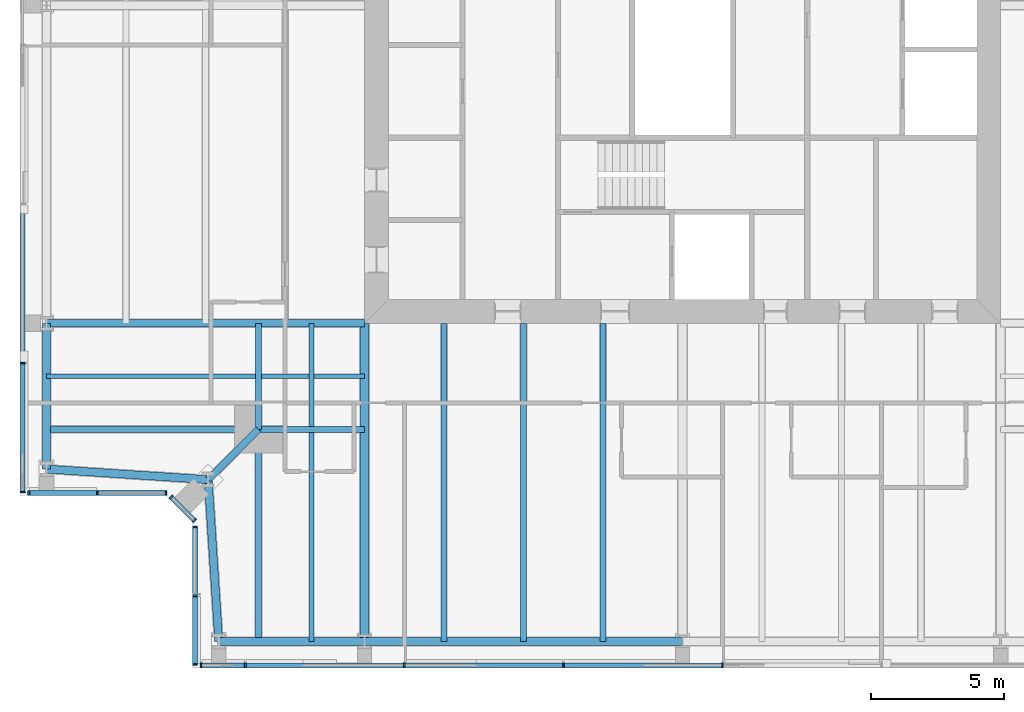
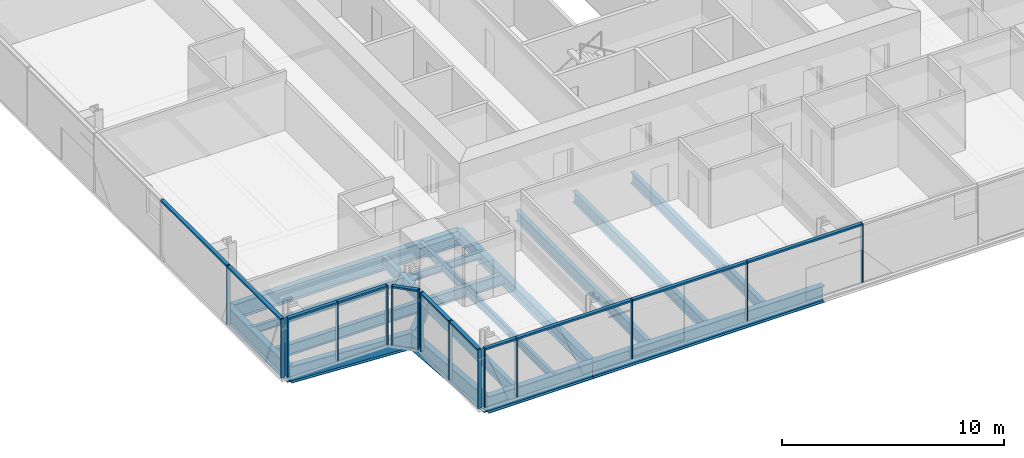
# One storey, part 2 of 20: 26 members, 20 beams, 5 elements without a shape of their own.
"""IFC4 building model written with IfcOpenShell, lengths in metres."""

from ifc_helpers import new_model, si_unit, direction, frame, origin, origin_2d, place, context, subcontext, project, spatial, rectangle, i_section, extrude, material, material_profile, profile_set, type_object, element, aggregate, save


model = new_model("IFC4")

# Units and contexts
model_context = context("Model", 3, precision=1e-05, world=origin(), true_north=direction((0.0, 1.0)))
body_context = subcontext(model_context, "Body", "Model", "MODEL_VIEW")
ifc_project = project(units=[si_unit("LENGTHUNIT", "METRE"), si_unit("AREAUNIT", "SQUARE_METRE"), si_unit("VOLUMEUNIT", "CUBIC_METRE"), si_unit("PLANEANGLEUNIT", "RADIAN"), si_unit("MASSUNIT", "GRAM", prefix="KILO")], contexts=[model_context])

# Site, building, storey
site_placement = place(None, origin())
site = spatial("IfcSite", under=ifc_project, at=site_placement, CompositionType="ELEMENT")
building_placement = place(site_placement, origin())
building = spatial("IfcBuilding", under=site, at=building_placement, Name="Fenwick Lantern Interchange", CompositionType="ELEMENT")
storey_placement = place(building_placement, frame((0.0, 0.0, 276.39990234375)))
storey = spatial("IfcBuildingStorey", under=building, at=storey_placement, Name="L66", CompositionType="ELEMENT", Elevation=276.39990234375)

# Beams
ifc_material_1 = material(Name="Steel ASTM A992 Grade 50", Category="steel")
ifc_material_profile_1 = material_profile(ifc_material_1, i_section(OverallWidth=0.3046875, OverallDepth=0.911865234375, WebThickness=0.015869140625, FlangeThickness=0.02392578125, at=origin_2d()), Name="W36X150")
ifc_profile_set_1 = profile_set([ifc_material_profile_1], Name="Steel ASTM A992 Grade 50")
beam_type_1 = type_object("IfcBeamType", Name="EDGE BEAM W36X150", PredefinedType="SPANDREL", material=ifc_profile_set_1)
beam_1_placement = place(storey_placement, frame((7.5, 1.0, -0.605712890625), z_axis=(1.0, 0.0, 0.0), x_axis=(0.0, 1.0, 0.0)))
element("IfcBeam", 1, at=beam_1_placement, inside=storey, type_object=beam_type_1, Name="L66/FR/S/EB1", PredefinedType="SPANDREL", context=body_context, shape_type="SweptSolid", body=[
    extrude(i_section(OverallWidth=0.3046875, OverallDepth=0.911865234375, WebThickness=0.015869140625, FlangeThickness=0.02392578125, at=origin_2d()), origin(), (0.0, 0.0, 1.0), 5.5),
])
beam_2_placement = place(storey_placement, frame((13.0, 1.0, -0.605712890625), z_axis=(1.0, 0.0, 0.0), x_axis=(0.0, 1.0, 0.0)))
element("IfcBeam", 2, at=beam_2_placement, inside=storey, type_object=beam_type_1, Name="L66/FR/S/EB2", PredefinedType="SPANDREL", context=body_context, shape_type="SweptSolid", body=[
    extrude(i_section(OverallWidth=0.3046875, OverallDepth=0.911865234375, WebThickness=0.015869140625, FlangeThickness=0.02392578125, at=origin_2d()), origin(), (0.0, 0.0, 1.0), 12.0),
])
beam_3_placement = place(storey_placement, frame((1.0, 13.0, -0.605712890625), z_axis=(0.0, -1.0, 0.0), x_axis=(1.0, 0.0, 0.0)))
element("IfcBeam", 3, at=beam_3_placement, inside=storey, type_object=beam_type_1, Name="L66/FR/W/EB4", PredefinedType="SPANDREL", context=body_context, shape_type="SweptSolid", body=[
    extrude(i_section(OverallWidth=0.3046875, OverallDepth=0.911865234375, WebThickness=0.015869140625, FlangeThickness=0.02392578125, at=origin_2d()), origin(), (0.0, 0.0, 1.0), 5.5),
])
for number, where, z_axis, x_axis, name in (
    (4, (1.0, 7.5, -0.605712890625), (0.997858060337, -0.065416293237, 0.0), (0.065416293237, 0.997858060337, 0.0), "L66/FR/W/EBR1"),
    (5, (7.10009765625, 7.10009765625, -0.605712890625), (0.065416293237, -0.997858060337, 0.0), (0.997858060337, 0.065416293237, 0.0), "L66/FR/W/EBR2"),
):
    element("IfcBeam", number, at=place(storey_placement, frame(where, z_axis=z_axis, x_axis=x_axis)), inside=storey, type_object=beam_type_1, Name=name, PredefinedType="SPANDREL", context=body_context, shape_type="SweptSolid", body=[
        extrude(i_section(OverallWidth=0.3046875, OverallDepth=0.911865234375, WebThickness=0.015869140625, FlangeThickness=0.02392578125, at=origin_2d()), origin(), (0.0, 0.0, 1.0), 6.11328125),
    ])
ifc_material_profile_2 = material_profile(ifc_material_1, i_section(OverallWidth=0.22900390625, OverallDepth=0.612060546875, WebThickness=0.011962890625, FlangeThickness=0.01953125, at=origin_2d()), Name="W24X84")
ifc_profile_set_2 = profile_set([ifc_material_profile_2], Name="Steel ASTM A992 Grade 50")
beam_type_2 = type_object("IfcBeamType", Name="FLOOR BEAM W24X84", PredefinedType="BEAM", material=ifc_profile_set_2)
for number, where, z_axis, x_axis, name in (
    (6, (16.0, 1.0, -0.4560546875), (0.0, 1.0, 0.0), (-1.0, 0.0, 0.0), "L66/FR/S/R02"),
    (7, (19.0, 1.0, -0.4560546875), (0.0, 1.0, 0.0), (-1.0, 0.0, 0.0), "L66/FR/S/R03"),
    (8, (22.0, 1.0, -0.4560546875), (0.0, 1.0, 0.0), (-1.0, 0.0, 0.0), "L66/FR/S/R04"),
):
    element("IfcBeam", number, at=place(storey_placement, frame(where, z_axis=z_axis, x_axis=x_axis)), inside=storey, type_object=beam_type_2, Name=name, PredefinedType="BEAM", context=body_context, shape_type="SweptSolid", body=[
        extrude(i_section(OverallWidth=0.22900390625, OverallDepth=0.612060546875, WebThickness=0.011962890625, FlangeThickness=0.01953125, at=origin_2d()), origin(), (0.0, 0.0, 1.0), 12.0),
    ])

# Curtain wall, members
ifc_material_2 = material(Name="Aluminium curtain wall frame", Category="aluminium")
curtain_wall_type = type_object("IfcCurtainWallType", Name="HOTEL CURTAIN WALL", PredefinedType="USERDEFINED", material=ifc_material_2)
curtain_wall_1_placement = place(storey_placement, origin())
curtain_wall_1 = element("IfcCurtainWall", 9, at=curtain_wall_1_placement, inside=storey, type_object=curtain_wall_type, Name="Hotel curtain wall 01", ObjectType="HOTEL CURTAIN WALL", PredefinedType="USERDEFINED")
ifc_material_3 = material(Name="Aluminium extrusion", Category="aluminium")
ifc_material_profile_3 = material_profile(ifc_material_3, rectangle(XDim=0.179931640625, YDim=0.06005859375, at=origin_2d()), Name="HOTEL CURTAIN WALL MULLION 60 X 180")
ifc_profile_set_3 = profile_set([ifc_material_profile_3], Name="Aluminium extrusion")
member_type_1 = type_object("IfcMemberType", Name="HOTEL CURTAIN WALL MULLION 60 X 180", PredefinedType="MULLION", material=ifc_profile_set_3)
member_1_placement = place(storey_placement, frame((6.830078125, 0.10009765625, 0.0), z_axis=(0.0, 0.0, 1.0), x_axis=(0.0, 1.0, 0.0)))
member_1 = element("IfcMember", 10, at=member_1_placement, type_object=member_type_1, Name="L66/CW/01/M00", PredefinedType="MULLION", context=body_context, shape_type="SweptSolid", body=[
    extrude(rectangle(XDim=0.179931640625, YDim=0.06005859375, at=origin_2d()), origin(), (0.0, 0.0, 1.0), 3.25),
])
member_2_placement = place(storey_placement, frame((8.5, 0.10009765625, 0.0), z_axis=(0.0, 0.0, 1.0), x_axis=(0.0, 1.0, 0.0)))
member_2 = element("IfcMember", 11, at=member_2_placement, type_object=member_type_1, Name="L66/CW/01/M01", PredefinedType="MULLION", context=body_context, shape_type="SweptSolid", body=[
    extrude(rectangle(XDim=0.179931640625, YDim=0.06005859375, at=origin_2d()), origin(), (0.0, 0.0, 1.0), 3.25),
])
member_3_placement = place(storey_placement, frame((14.5, 0.10009765625, 0.0), z_axis=(0.0, 0.0, 1.0), x_axis=(0.0, 1.0, 0.0)))
member_3 = element("IfcMember", 12, at=member_3_placement, type_object=member_type_1, Name="L66/CW/01/M02", PredefinedType="MULLION", context=body_context, shape_type="SweptSolid", body=[
    extrude(rectangle(XDim=0.179931640625, YDim=0.06005859375, at=origin_2d()), origin(), (0.0, 0.0, 1.0), 3.25),
])
member_4_placement = place(storey_placement, frame((20.5, 0.10009765625, 0.0), z_axis=(0.0, 0.0, 1.0), x_axis=(0.0, 1.0, 0.0)))
member_4 = element("IfcMember", 13, at=member_4_placement, type_object=member_type_1, Name="L66/CW/01/M03", PredefinedType="MULLION", context=body_context, shape_type="SweptSolid", body=[
    extrude(rectangle(XDim=0.179931640625, YDim=0.06005859375, at=origin_2d()), origin(), (0.0, 0.0, 1.0), 3.25),
])
member_5_placement = place(storey_placement, frame((26.5, 0.10009765625, 0.0), z_axis=(0.0, 0.0, 1.0), x_axis=(0.0, 1.0, 0.0)))
member_5 = element("IfcMember", 14, at=member_5_placement, type_object=member_type_1, Name="L66/CW/01/M04", PredefinedType="MULLION", context=body_context, shape_type="SweptSolid", body=[
    extrude(rectangle(XDim=0.179931640625, YDim=0.06005859375, at=origin_2d()), origin(), (0.0, 0.0, 1.0), 3.25),
])

curtain_wall_2_placement = place(storey_placement, origin())
curtain_wall_2 = element("IfcCurtainWall", 15, at=curtain_wall_2_placement, inside=storey, type_object=curtain_wall_type, Name="Hotel curtain wall 13", ObjectType="HOTEL CURTAIN WALL", PredefinedType="USERDEFINED")
member_6_placement = place(storey_placement, frame((0.10009765625, 11.5, 0.0), z_axis=(0.0, 0.0, 1.0), x_axis=(1.0, 0.0, 0.0)))
member_6 = element("IfcMember", 16, at=member_6_placement, type_object=member_type_1, Name="L66/CW/13/M06", PredefinedType="MULLION", context=body_context, shape_type="SweptSolid", body=[
    extrude(rectangle(XDim=0.179931640625, YDim=0.06005859375, at=origin_2d()), origin(), (0.0, 0.0, 1.0), 3.25),
])
member_7_placement = place(storey_placement, frame((0.10009765625, 6.6298828125, 0.0), z_axis=(0.0, 0.0, 1.0), x_axis=(1.0, 0.0, 0.0)))
member_7 = element("IfcMember", 17, at=member_7_placement, type_object=member_type_1, Name="L66/CW/13/M07", PredefinedType="MULLION", context=body_context, shape_type="SweptSolid", body=[
    extrude(rectangle(XDim=0.179931640625, YDim=0.06005859375, at=origin_2d()), origin(), (0.0, 0.0, 1.0), 3.25),
])

curtain_wall_3_placement = place(storey_placement, origin())
curtain_wall_3 = element("IfcCurtainWall", 18, at=curtain_wall_3_placement, inside=storey, type_object=curtain_wall_type, Name="Hotel curtain wall 14", ObjectType="HOTEL CURTAIN WALL", PredefinedType="USERDEFINED")
member_8_placement = place(storey_placement, frame((0.330078125, 6.60009765625, 0.0), z_axis=(0.0, 0.0, 1.0), x_axis=(0.0, 1.0, 0.0)))
member_8 = element("IfcMember", 19, at=member_8_placement, type_object=member_type_1, Name="L66/CW/14/M00", PredefinedType="MULLION", context=body_context, shape_type="SweptSolid", body=[
    extrude(rectangle(XDim=0.179931640625, YDim=0.06005859375, at=origin_2d()), origin(), (0.0, 0.0, 1.0), 3.25),
])
member_9_placement = place(storey_placement, frame((2.920654296875, 6.60009765625, 0.0), z_axis=(0.0, 0.0, 1.0), x_axis=(0.0, 1.0, 0.0)))
member_9 = element("IfcMember", 20, at=member_9_placement, type_object=member_type_1, Name="L66/CW/14/M01", PredefinedType="MULLION", context=body_context, shape_type="SweptSolid", body=[
    extrude(rectangle(XDim=0.179931640625, YDim=0.06005859375, at=origin_2d()), origin(), (0.0, 0.0, 1.0), 3.25),
])
member_10_placement = place(storey_placement, frame((5.511474609375, 6.60009765625, 0.0), z_axis=(0.0, 0.0, 1.0), x_axis=(0.0, 1.0, 0.0)))
member_10 = element("IfcMember", 21, at=member_10_placement, type_object=member_type_1, Name="L66/CW/14/M02", PredefinedType="MULLION", context=body_context, shape_type="SweptSolid", body=[
    extrude(rectangle(XDim=0.179931640625, YDim=0.06005859375, at=origin_2d()), origin(), (0.0, 0.0, 1.0), 3.25),
])

curtain_wall_4_placement = place(storey_placement, origin())
curtain_wall_4 = element("IfcCurtainWall", 22, at=curtain_wall_4_placement, inside=storey, type_object=curtain_wall_type, Name="Hotel curtain wall 15", ObjectType="HOTEL CURTAIN WALL", PredefinedType="USERDEFINED")
member_11_placement = place(storey_placement, frame((5.7041015625, 6.437255859375, 0.0), z_axis=(0.0, 0.0, 1.0), x_axis=(0.707106781187, 0.707106781187, 0.0)))
member_11 = element("IfcMember", 23, at=member_11_placement, type_object=member_type_1, Name="L66/CW/15/M00", PredefinedType="MULLION", context=body_context, shape_type="SweptSolid", body=[
    extrude(rectangle(XDim=0.179931640625, YDim=0.06005859375, at=origin_2d()), origin(), (0.0, 0.0, 1.0), 3.25),
])
member_12_placement = place(storey_placement, frame((6.578857421875, 5.562744140625, 0.0), z_axis=(0.0, 0.0, 1.0), x_axis=(0.707106781187, 0.707106781187, 0.0)))
member_12 = element("IfcMember", 24, at=member_12_placement, type_object=member_type_1, Name="L66/CW/15/M01", PredefinedType="MULLION", context=body_context, shape_type="SweptSolid", body=[
    extrude(rectangle(XDim=0.179931640625, YDim=0.06005859375, at=origin_2d()), origin(), (0.0, 0.0, 1.0), 3.25),
])

curtain_wall_5_placement = place(storey_placement, origin())
curtain_wall_5 = element("IfcCurtainWall", 25, at=curtain_wall_5_placement, inside=storey, type_object=curtain_wall_type, Name="Hotel curtain wall 16", ObjectType="HOTEL CURTAIN WALL", PredefinedType="USERDEFINED")
member_13_placement = place(storey_placement, frame((6.60009765625, 5.3115234375, 0.0), z_axis=(0.0, 0.0, 1.0), x_axis=(1.0, 0.0, 0.0)))
member_13 = element("IfcMember", 26, at=member_13_placement, type_object=member_type_1, Name="L66/CW/16/M00", PredefinedType="MULLION", context=body_context, shape_type="SweptSolid", body=[
    extrude(rectangle(XDim=0.179931640625, YDim=0.06005859375, at=origin_2d()), origin(), (0.0, 0.0, 1.0), 3.25),
])
member_14_placement = place(storey_placement, frame((6.60009765625, 2.720703125, 0.0), z_axis=(0.0, 0.0, 1.0), x_axis=(1.0, 0.0, 0.0)))
member_14 = element("IfcMember", 27, at=member_14_placement, type_object=member_type_1, Name="L66/CW/16/M01", PredefinedType="MULLION", context=body_context, shape_type="SweptSolid", body=[
    extrude(rectangle(XDim=0.179931640625, YDim=0.06005859375, at=origin_2d()), origin(), (0.0, 0.0, 1.0), 3.25),
])
member_15_placement = place(storey_placement, frame((6.60009765625, 0.1298828125, 0.0), z_axis=(0.0, 0.0, 1.0), x_axis=(1.0, 0.0, 0.0)))
member_15 = element("IfcMember", 28, at=member_15_placement, type_object=member_type_1, Name="L66/CW/16/M02", PredefinedType="MULLION", context=body_context, shape_type="SweptSolid", body=[
    extrude(rectangle(XDim=0.179931640625, YDim=0.06005859375, at=origin_2d()), origin(), (0.0, 0.0, 1.0), 3.25),
])

# Member
ifc_material_profile_4 = material_profile(ifc_material_3, rectangle(XDim=0.179931640625, YDim=0.10009765625, at=origin_2d()), Name="HOTEL CURTAIN WALL TRANSOM 100 X 180")
ifc_profile_set_4 = profile_set([ifc_material_profile_4], Name="Aluminium extrusion")
member_type_2 = type_object("IfcMemberType", Name="HOTEL CURTAIN WALL TRANSOM 100 X 180", PredefinedType="MULLION", material=ifc_profile_set_4)
member_16_placement = place(storey_placement, frame((6.860107421875, 0.10009765625, 3.2001953125), z_axis=(1.0, 0.0, 0.0), x_axis=(0.0, 1.0, 0.0)))
member_16 = element("IfcMember", 29, at=member_16_placement, type_object=member_type_2, Name="L66/CW/01/T00", PredefinedType="MULLION", context=body_context, shape_type="SweptSolid", body=[
    extrude(rectangle(XDim=0.179931640625, YDim=0.10009765625, at=origin_2d()), origin(), (0.0, 0.0, 1.0), 1.60986328125),
])

member_17_placement = place(storey_placement, frame((8.530029296875, 0.10009765625, 3.2001953125), z_axis=(1.0, 0.0, 0.0), x_axis=(0.0, 1.0, 0.0)))
member_17 = element("IfcMember", 30, at=member_17_placement, type_object=member_type_2, Name="L66/CW/01/T01", PredefinedType="MULLION", context=body_context, shape_type="SweptSolid", body=[
    extrude(rectangle(XDim=0.179931640625, YDim=0.10009765625, at=origin_2d()), origin(), (0.0, 0.0, 1.0), 5.93994140625),
])

member_18_placement = place(storey_placement, frame((14.530029296875, 0.10009765625, 3.2001953125), z_axis=(1.0, 0.0, 0.0), x_axis=(0.0, 1.0, 0.0)))
member_18 = element("IfcMember", 31, at=member_18_placement, type_object=member_type_2, Name="L66/CW/01/T02", PredefinedType="MULLION", context=body_context, shape_type="SweptSolid", body=[
    extrude(rectangle(XDim=0.179931640625, YDim=0.10009765625, at=origin_2d()), origin(), (0.0, 0.0, 1.0), 5.93994140625),
])

member_19_placement = place(storey_placement, frame((20.530029296875, 0.10009765625, 3.2001953125), z_axis=(1.0, 0.0, 0.0), x_axis=(0.0, 1.0, 0.0)))
member_19 = element("IfcMember", 32, at=member_19_placement, type_object=member_type_2, Name="L66/CW/01/T03", PredefinedType="MULLION", context=body_context, shape_type="SweptSolid", body=[
    extrude(rectangle(XDim=0.179931640625, YDim=0.10009765625, at=origin_2d()), origin(), (0.0, 0.0, 1.0), 5.93994140625),
])

aggregate(curtain_wall_1, [member_1, member_2, member_3, member_4, member_5, member_16, member_17, member_18, member_19])

member_20_placement = place(storey_placement, frame((0.10009765625, 17.469970703125, 3.2001953125), z_axis=(0.0, -1.0, 0.0), x_axis=(1.0, 0.0, 0.0)))
member_20 = element("IfcMember", 33, at=member_20_placement, type_object=member_type_2, Name="L66/CW/13/T05", PredefinedType="MULLION", context=body_context, shape_type="SweptSolid", body=[
    extrude(rectangle(XDim=0.179931640625, YDim=0.10009765625, at=origin_2d()), origin(), (0.0, 0.0, 1.0), 5.93994140625),
])

member_21_placement = place(storey_placement, frame((0.10009765625, 11.469970703125, 3.2001953125), z_axis=(0.0, -1.0, 0.0), x_axis=(1.0, 0.0, 0.0)))
member_21 = element("IfcMember", 34, at=member_21_placement, type_object=member_type_2, Name="L66/CW/13/T06", PredefinedType="MULLION", context=body_context, shape_type="SweptSolid", body=[
    extrude(rectangle(XDim=0.179931640625, YDim=0.10009765625, at=origin_2d()), origin(), (0.0, 0.0, 1.0), 4.81005859375),
])

aggregate(curtain_wall_2, [member_6, member_7, member_20, member_21])

member_22_placement = place(storey_placement, frame((0.360107421875, 6.60009765625, 3.2001953125), z_axis=(1.0, 0.0, 0.0), x_axis=(0.0, 1.0, 0.0)))
member_22 = element("IfcMember", 35, at=member_22_placement, type_object=member_type_2, Name="L66/CW/14/T00", PredefinedType="MULLION", context=body_context, shape_type="SweptSolid", body=[
    extrude(rectangle(XDim=0.179931640625, YDim=0.10009765625, at=origin_2d()), origin(), (0.0, 0.0, 1.0), 2.530517578125),
])

member_23_placement = place(storey_placement, frame((2.95068359375, 6.60009765625, 3.2001953125), z_axis=(1.0, 0.0, 0.0), x_axis=(0.0, 1.0, 0.0)))
member_23 = element("IfcMember", 36, at=member_23_placement, type_object=member_type_2, Name="L66/CW/14/T01", PredefinedType="MULLION", context=body_context, shape_type="SweptSolid", body=[
    extrude(rectangle(XDim=0.179931640625, YDim=0.10009765625, at=origin_2d()), origin(), (0.0, 0.0, 1.0), 2.53076171875),
])

aggregate(curtain_wall_3, [member_8, member_9, member_10, member_22, member_23])

member_24_placement = place(storey_placement, frame((5.725341796875, 6.416259765625, 3.2001953125), z_axis=(0.707003077033, -0.707210470133, 0.0), x_axis=(0.707210470133, 0.707003077033, 0.0)))
member_24 = element("IfcMember", 37, at=member_24_placement, type_object=member_type_2, Name="L66/CW/15/T00", PredefinedType="MULLION", context=body_context, shape_type="SweptSolid", body=[
    extrude(rectangle(XDim=0.179931640625, YDim=0.10009765625, at=origin_2d()), origin(), (0.0, 0.0, 1.0), 1.17724609375),
])

aggregate(curtain_wall_4, [member_11, member_12, member_24])

member_25_placement = place(storey_placement, frame((6.60009765625, 5.281494140625, 3.2001953125), z_axis=(0.0, -1.0, 0.0), x_axis=(1.0, 0.0, 0.0)))
member_25 = element("IfcMember", 38, at=member_25_placement, type_object=member_type_2, Name="L66/CW/16/T00", PredefinedType="MULLION", context=body_context, shape_type="SweptSolid", body=[
    extrude(rectangle(XDim=0.179931640625, YDim=0.10009765625, at=origin_2d()), origin(), (0.0, 0.0, 1.0), 2.53076171875),
])

member_26_placement = place(storey_placement, frame((6.60009765625, 2.690673828125, 3.2001953125), z_axis=(0.0, -1.0, 0.0), x_axis=(1.0, 0.0, 0.0)))
member_26 = element("IfcMember", 39, at=member_26_placement, type_object=member_type_2, Name="L66/CW/16/T01", PredefinedType="MULLION", context=body_context, shape_type="SweptSolid", body=[
    extrude(rectangle(XDim=0.179931640625, YDim=0.10009765625, at=origin_2d()), origin(), (0.0, 0.0, 1.0), 2.53076171875),
])

aggregate(curtain_wall_5, [member_13, member_14, member_15, member_25, member_26])

# Beams
ifc_material_profile_5 = material_profile(ifc_material_1, i_section(OverallWidth=0.177734375, OverallDepth=0.406494140625, WebThickness=0.0078125, FlangeThickness=0.012939453125, at=origin_2d()), Name="W16X40")
ifc_profile_set_5 = profile_set([ifc_material_profile_5], Name="Steel ASTM A992 Grade 50")
beam_type_3 = type_object("IfcBeamType", Name="INFILL BEAM W16X40", PredefinedType="JOIST", material=ifc_profile_set_5)
beam_4_placement = place(storey_placement, frame((11.0, 1.0, -0.35302734375), z_axis=(0.0, 1.0, 0.0), x_axis=(-1.0, 0.0, 0.0)))
element("IfcBeam", 40, at=beam_4_placement, inside=storey, type_object=beam_type_3, Name="L66/FR/S/J1", PredefinedType="JOIST", context=body_context, shape_type="SweptSolid", body=[
    extrude(i_section(OverallWidth=0.177734375, OverallDepth=0.406494140625, WebThickness=0.0078125, FlangeThickness=0.012939453125, at=origin_2d()), origin(), (0.0, 0.0, 1.0), 7.885498046875),
])
beam_5_placement = place(storey_placement, frame((11.0, 9.114501953125, -0.35302734375), z_axis=(0.0, 1.0, 0.0), x_axis=(-1.0, 0.0, 0.0)))
element("IfcBeam", 41, at=beam_5_placement, inside=storey, type_object=beam_type_3, Name="L66/FR/S/J2", PredefinedType="JOIST", context=body_context, shape_type="SweptSolid", body=[
    extrude(i_section(OverallWidth=0.177734375, OverallDepth=0.406494140625, WebThickness=0.0078125, FlangeThickness=0.012939453125, at=origin_2d()), origin(), (0.0, 0.0, 1.0), 3.885498046875),
])
beam_6_placement = place(storey_placement, frame((1.0, 11.0, -0.35302734375), z_axis=(1.0, 0.0, 0.0), x_axis=(0.0, 1.0, 0.0)))
element("IfcBeam", 42, at=beam_6_placement, inside=storey, type_object=beam_type_3, Name="L66/FR/S/J3", PredefinedType="JOIST", context=body_context, shape_type="SweptSolid", body=[
    extrude(i_section(OverallWidth=0.177734375, OverallDepth=0.406494140625, WebThickness=0.0078125, FlangeThickness=0.012939453125, at=origin_2d()), origin(), (0.0, 0.0, 1.0), 7.885498046875),
])
beam_7_placement = place(storey_placement, frame((9.114501953125, 11.0, -0.35302734375), z_axis=(1.0, 0.0, 0.0), x_axis=(0.0, 1.0, 0.0)))
element("IfcBeam", 43, at=beam_7_placement, inside=storey, type_object=beam_type_3, Name="L66/FR/S/J4", PredefinedType="JOIST", context=body_context, shape_type="SweptSolid", body=[
    extrude(i_section(OverallWidth=0.177734375, OverallDepth=0.406494140625, WebThickness=0.0078125, FlangeThickness=0.012939453125, at=origin_2d()), origin(), (0.0, 0.0, 1.0), 1.796630859375),
])
beam_8_placement = place(storey_placement, frame((11.0888671875, 11.0, -0.35302734375), z_axis=(1.0, 0.0, 0.0), x_axis=(0.0, 1.0, 0.0)))
element("IfcBeam", 44, at=beam_8_placement, inside=storey, type_object=beam_type_3, Name="L66/FR/S/J5", PredefinedType="JOIST", context=body_context, shape_type="SweptSolid", body=[
    extrude(i_section(OverallWidth=0.177734375, OverallDepth=0.406494140625, WebThickness=0.0078125, FlangeThickness=0.012939453125, at=origin_2d()), origin(), (0.0, 0.0, 1.0), 1.9111328125),
])
ifc_material_profile_6 = material_profile(ifc_material_1, i_section(OverallWidth=0.22900390625, OverallDepth=0.612060546875, WebThickness=0.011962890625, FlangeThickness=0.01953125, at=origin_2d()), Name="W24X84")
ifc_profile_set_6 = profile_set([ifc_material_profile_6], Name="Steel ASTM A992 Grade 50")
beam_type_4 = type_object("IfcBeamType", Name="MEGA COLUMN BEAM W24X84", PredefinedType="BEAM", material=ifc_profile_set_6)
for number, where, z_axis, x_axis, name in (
    (45, (9.0, 9.0, -0.4560546875), (0.0, -1.0, 0.0), (1.0, 0.0, 0.0), "L66/FR/S/MB1"),
    (46, (9.0, 9.0, -0.4560546875), (-1.0, 0.0, 0.0), (0.0, -1.0, 0.0), "L66/FR/S/MB2"),
):
    element("IfcBeam", number, at=place(storey_placement, frame(where, z_axis=z_axis, x_axis=x_axis)), inside=storey, type_object=beam_type_4, Name=name, PredefinedType="BEAM", context=body_context, shape_type="SweptSolid", body=[
        extrude(i_section(OverallWidth=0.22900390625, OverallDepth=0.612060546875, WebThickness=0.011962890625, FlangeThickness=0.01953125, at=origin_2d()), origin(), (0.0, 0.0, 1.0), 8.0),
    ])
for number, where, z_axis, x_axis, name in (
    (47, (9.0, 9.0, -0.4560546875), (1.0, 0.0, 0.0), (0.0, 1.0, 0.0), "L66/FR/S/MB3"),
    (48, (9.0, 9.0, -0.4560546875), (0.0, 1.0, 0.0), (-1.0, 0.0, 0.0), "L66/FR/S/MB4"),
):
    element("IfcBeam", number, at=place(storey_placement, frame(where, z_axis=z_axis, x_axis=x_axis)), inside=storey, type_object=beam_type_4, Name=name, PredefinedType="BEAM", context=body_context, shape_type="SweptSolid", body=[
        extrude(i_section(OverallWidth=0.22900390625, OverallDepth=0.612060546875, WebThickness=0.011962890625, FlangeThickness=0.01953125, at=origin_2d()), origin(), (0.0, 0.0, 1.0), 4.0),
    ])
ifc_material_profile_7 = material_profile(ifc_material_1, i_section(OverallWidth=0.32763671875, OverallDepth=0.622314453125, WebThickness=0.015380859375, FlangeThickness=0.0244140625, at=origin_2d()), Name="W24X131")
ifc_profile_set_7 = profile_set([ifc_material_profile_7], Name="Steel ASTM A992 Grade 50")
beam_type_5 = type_object("IfcBeamType", Name="MOMENT-CONNECTED GIRDER W24X131", PredefinedType="BEAM", material=ifc_profile_set_7)
beam_9_placement = place(storey_placement, frame((13.0, 1.0, -0.4609375), z_axis=(0.0, 1.0, 0.0), x_axis=(-1.0, 0.0, 0.0)))
element("IfcBeam", 49, at=beam_9_placement, inside=storey, type_object=beam_type_5, Name="L66/FR/S/R01", PredefinedType="BEAM", context=body_context, shape_type="SweptSolid", body=[
    extrude(i_section(OverallWidth=0.32763671875, OverallDepth=0.622314453125, WebThickness=0.015380859375, FlangeThickness=0.0244140625, at=origin_2d()), origin(), (0.0, 0.0, 1.0), 12.0),
])
ifc_material_profile_8 = material_profile(ifc_material_1, i_section(OverallWidth=0.2919921875, OverallDepth=0.845703125, WebThickness=0.015380859375, FlangeThickness=0.0244140625, at=origin_2d()), Name="W33X141")
ifc_profile_set_8 = profile_set([ifc_material_profile_8], Name="Steel ASTM A992 Grade 50")
beam_type_6 = type_object("IfcBeamType", Name="MOMENT-CONNECTED GIRDER W33X141", PredefinedType="BEAM", material=ifc_profile_set_8)
beam_10_placement = place(storey_placement, frame((1.0, 13.0, -0.57275390625), z_axis=(1.0, 0.0, 0.0), x_axis=(0.0, 1.0, 0.0)))
element("IfcBeam", 50, at=beam_10_placement, inside=storey, type_object=beam_type_6, Name="L66/FR/W/R03", PredefinedType="BEAM", context=body_context, shape_type="SweptSolid", body=[
    extrude(i_section(OverallWidth=0.2919921875, OverallDepth=0.845703125, WebThickness=0.015380859375, FlangeThickness=0.0244140625, at=origin_2d()), origin(), (0.0, 0.0, 1.0), 12.0),
])
ifc_material_profile_9 = material_profile(ifc_material_1, i_section(OverallWidth=0.2666015625, OverallDepth=0.7568359375, WebThickness=0.013916015625, FlangeThickness=0.019287109375, at=origin_2d()), Name="W30X108")
ifc_profile_set_9 = profile_set([ifc_material_profile_9], Name="Steel ASTM A992 Grade 50")
beam_type_7 = type_object("IfcBeamType", Name="NOTCH BEAM W30X108", PredefinedType="BEAM", material=ifc_profile_set_9)
beam_11_placement = place(storey_placement, frame((9.0, 9.0, -0.5283203125), z_axis=(-0.707106781187, -0.707106781187, 0.0), x_axis=(0.707106781187, -0.707106781187, 0.0)))
element("IfcBeam", 51, at=beam_11_placement, inside=storey, type_object=beam_type_7, Name="L66/FR/S/TG", PredefinedType="BEAM", context=body_context, shape_type="SweptSolid", body=[
    extrude(i_section(OverallWidth=0.2666015625, OverallDepth=0.7568359375, WebThickness=0.013916015625, FlangeThickness=0.019287109375, at=origin_2d()), origin(), (0.0, 0.0, 1.0), 2.686767578125),
])

save(model, "model.ifc")
